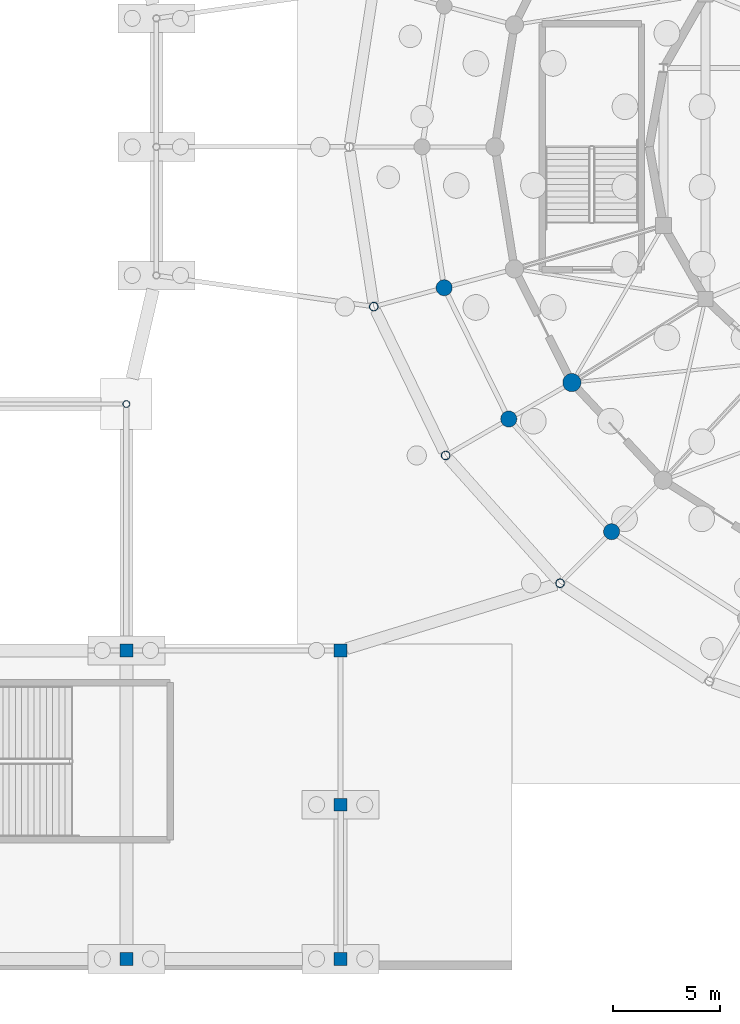
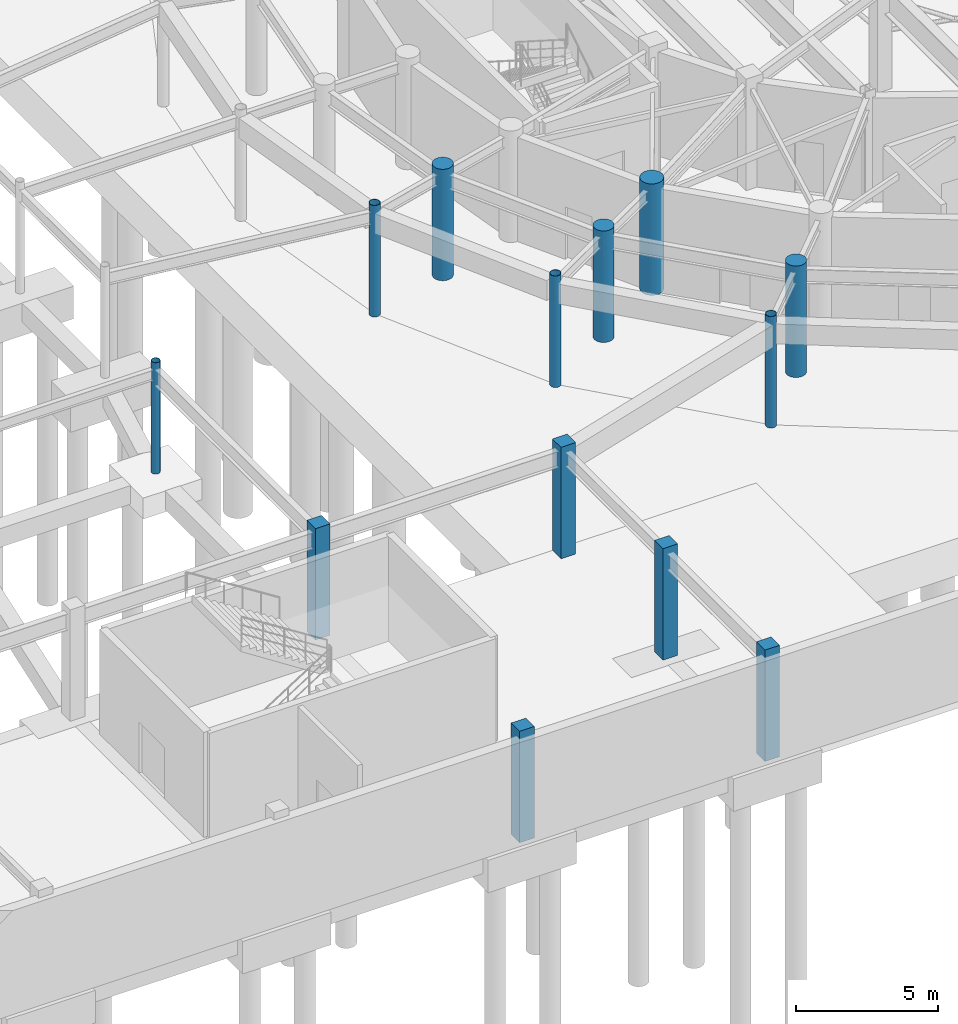
# One storey, part 12 of 68: 13 columns.
"""IFC4 building model written with IfcOpenShell, lengths in metres."""

from ifc_helpers import new_model, si_unit, direction, frame, origin, origin_2d, place, context, subcontext, project, spatial, rectangle, circle, hollow_circle, extrude, material, material_profile, profile_set, type_object, element, save


model = new_model("IFC4")

# Units and contexts
model_context = context("Model", 3, precision=1e-05, world=origin(), true_north=direction((0.0, 1.0)))
body_context = subcontext(model_context, "Body", "Model", "MODEL_VIEW")
ifc_project = project(units=[si_unit("LENGTHUNIT", "METRE"), si_unit("AREAUNIT", "SQUARE_METRE"), si_unit("VOLUMEUNIT", "CUBIC_METRE"), si_unit("PLANEANGLEUNIT", "RADIAN"), si_unit("MASSUNIT", "GRAM", prefix="KILO")], contexts=[model_context])

# Site, building, storey
site_placement = place(None, origin())
site = spatial("IfcSite", under=ifc_project, at=site_placement, CompositionType="ELEMENT")
building_placement = place(site_placement, origin())
building = spatial("IfcBuilding", under=site, at=building_placement, Name="Cinderbank Siding Concert Hall", CompositionType="ELEMENT")
storey_placement = place(building_placement, frame((0.0, 0.0, -4.800048828125)))
storey = spatial("IfcBuildingStorey", under=building, at=storey_placement, Name="B1", CompositionType="ELEMENT", Elevation=-4.800048828125)

# Columns
ifc_material_1 = material(Name="Structural steel hollow section AS/NZS 1163 Grade C350L0 (350 MPa)", Category="steel")
ifc_material_profile_1 = material_profile(ifc_material_1, hollow_circle(Radius=0.161865234375, WallThickness=0.0126953125, at=origin_2d()), Name="323.9x12.7CHS", Category="LoadBearing")
ifc_profile_set_1 = profile_set([ifc_material_profile_1], Name="Structural steel hollow section AS/NZS 1163 Grade C350L0 (350 MPa)")
column_type_1 = type_object("IfcColumnType", Name="C-CHS323 323.9x12.7CHS", PredefinedType="COLUMN", material=ifc_profile_set_1)
column_1_placement = place(storey_placement, frame((78.0, 32.0, 0.0), z_axis=(0.0, 0.0, 1.0), x_axis=(1.0, 0.0, 0.0)))
element("IfcColumn", 1, at=column_1_placement, inside=storey, type_object=column_type_1, Name="B1 Column COL-PAD-03", PredefinedType="COLUMN", context=body_context, shape_type="SweptSolid", body=[
    extrude(hollow_circle(Radius=0.161865234375, WallThickness=0.0126953125, at=origin_2d()), origin(), (0.0, 0.0, 1.0), 4.800048828125),
])
ifc_material_profile_2 = material_profile(ifc_material_1, hollow_circle(Radius=0.203125, WallThickness=0.01611328125, at=origin_2d()), Name="406.4x16.0CHS", Category="LoadBearing")
ifc_profile_set_2 = profile_set([ifc_material_profile_2], Name="Structural steel hollow section AS/NZS 1163 Grade C350L0 (350 MPa)")
column_type_2 = type_object("IfcColumnType", Name="C-CHS406 406.4x16.0CHS", PredefinedType="COLUMN", material=ifc_profile_set_2)
for number, where, z_axis, x_axis, name in (
    (2, (89.544921875, 36.5458984375, 0.0), (0.0, 0.0, 1.0), (1.0, 0.0, 0.0), "B1 Column COL-E4-14"),
    (3, (92.90087890625, 29.60009765625, 0.0), (0.0, 0.0, 1.0), (1.0, 0.0, 0.0), "B1 Column COL-E4-15"),
    (4, (98.240966796875, 23.635009765625, 0.0), (0.0, 0.0, 1.0), (1.0, 0.0, 0.0), "B1 Column COL-E4-16"),
):
    element("IfcColumn", number, at=place(storey_placement, frame(where, z_axis=z_axis, x_axis=x_axis)), inside=storey, type_object=column_type_2, Name=name, PredefinedType="COLUMN", context=body_context, shape_type="SweptSolid", body=[
        extrude(hollow_circle(Radius=0.203125, WallThickness=0.01611328125, at=origin_2d()), origin(), (0.0, 0.0, 1.0), 4.800048828125),
    ])
ifc_material_2 = material(Name="Reinforced concrete AS 3600 N50 (50 MPa)", Category="concrete")
ifc_material_profile_3 = material_profile(ifc_material_2, rectangle(XDim=0.60009765625, YDim=0.60009765625, at=origin_2d()), Name="RC-COL-600x600", Category="LoadBearing")
ifc_profile_set_3 = profile_set([ifc_material_profile_3], Name="Reinforced concrete AS 3600 N50 (50 MPa)")
column_type_3 = type_object("IfcColumnType", Name="C-RC600 RC-COL-600x600", PredefinedType="COLUMN", material=ifc_profile_set_3)
for number, where, z_axis, x_axis, name in (
    (5, (78.0, 6.10009765625, 0.0), (0.0, 0.0, 1.0), (1.0, 0.0, 0.0), "B1 Column COL-SL-3-1"),
    (6, (78.0, 20.5, 0.0), (0.0, 0.0, 1.0), (1.0, 0.0, 0.0), "B1 Column COL-SL-3-3"),
    (7, (88.0, 6.10009765625, 0.0), (0.0, 0.0, 1.0), (1.0, 0.0, 0.0), "B1 Column COL-SL-4-1"),
    (8, (88.0, 13.300048828125, 0.0), (0.0, 0.0, 1.0), (1.0, 0.0, 0.0), "B1 Column COL-SL-4-2"),
    (9, (88.0, 20.5, 0.0), (0.0, 0.0, 1.0), (1.0, 0.0, 0.0), "B1 Column COL-SL-4-3"),
):
    element("IfcColumn", number, at=place(storey_placement, frame(where, z_axis=z_axis, x_axis=x_axis)), inside=storey, type_object=column_type_3, Name=name, PredefinedType="COLUMN", context=body_context, shape_type="SweptSolid", body=[
        extrude(rectangle(XDim=0.60009765625, YDim=0.60009765625, at=origin_2d()), origin(), (0.0, 0.0, 1.0), 4.800048828125),
    ])
ifc_material_profile_4 = material_profile(ifc_material_2, circle(Radius=0.375, at=origin_2d()), Name="RC-COL-750DIA", Category="LoadBearing")
ifc_profile_set_4 = profile_set([ifc_material_profile_4], Name="Reinforced concrete AS 3600 N50 (50 MPa)")
column_type_4 = type_object("IfcColumnType", Name="C-RCD750 RC-COL-750DIA", PredefinedType="COLUMN", material=ifc_profile_set_4)
for number, where, z_axis, x_axis, name in (
    (10, (92.8291015625, 37.426025390625, 0.0), (0.0, 0.0, 1.0), (1.0, 0.0, 0.0), "B1 Column COL-E3-14"),
    (11, (95.845947265625, 31.300048828125, 0.0), (0.0, 0.0, 1.0), (1.0, 0.0, 0.0), "B1 Column COL-E3-15"),
    (12, (100.64501953125, 26.0400390625, 0.0), (0.0, 0.0, 1.0), (1.0, 0.0, 0.0), "B1 Column COL-E3-16"),
):
    element("IfcColumn", number, at=place(storey_placement, frame(where, z_axis=z_axis, x_axis=x_axis)), inside=storey, type_object=column_type_4, Name=name, PredefinedType="COLUMN", context=body_context, shape_type="SweptSolid", body=[
        extrude(circle(Radius=0.375, at=origin_2d()), origin(), (0.0, 0.0, 1.0), 4.800048828125),
    ])
ifc_material_profile_5 = material_profile(ifc_material_2, circle(Radius=0.425048828125, at=origin_2d()), Name="RC-COL-850DIA", Category="LoadBearing")
ifc_profile_set_5 = profile_set([ifc_material_profile_5], Name="Reinforced concrete AS 3600 N50 (50 MPa)")
column_type_5 = type_object("IfcColumnType", Name="C-RCD850 RC-COL-850DIA", PredefinedType="COLUMN", material=ifc_profile_set_5)
column_2_placement = place(storey_placement, frame((98.7900390625, 33.0, 0.0), z_axis=(0.0, 0.0, 1.0), x_axis=(1.0, 0.0, 0.0)))
element("IfcColumn", 13, at=column_2_placement, inside=storey, type_object=column_type_5, Name="B1 Column COL-E2-15", PredefinedType="COLUMN", context=body_context, shape_type="SweptSolid", body=[
    extrude(circle(Radius=0.425048828125, at=origin_2d()), origin(), (0.0, 0.0, 1.0), 4.800048828125),
])

save(model, "model.ifc")
